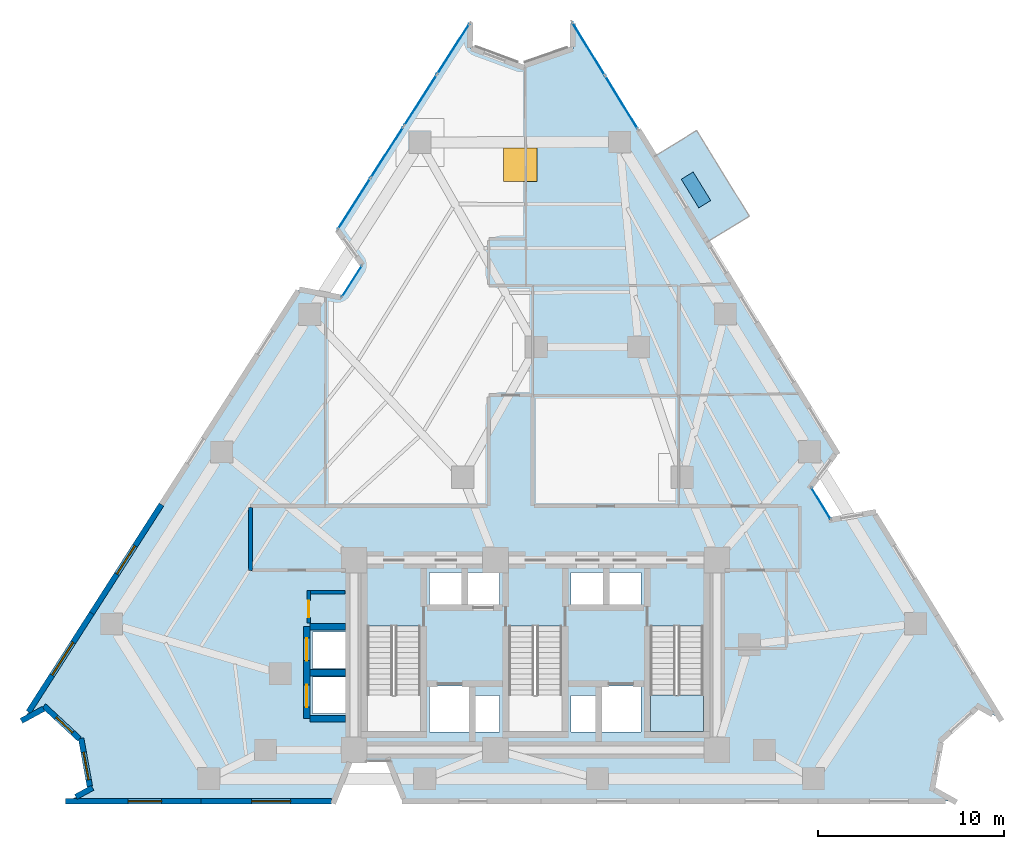
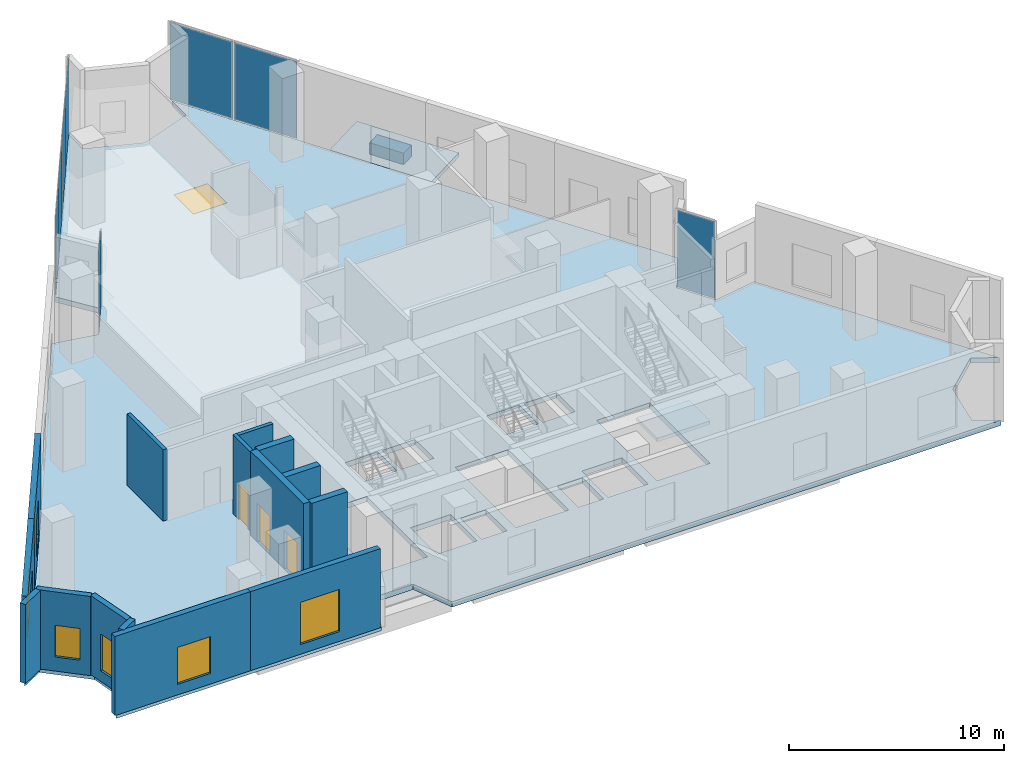
# One storey, part 6 of 13: 15 walls, 9 plates, 7 windows, 3 doors, 3 slabs, 10 openings, 6 elements without a shape of their own.
"""IFC4 building model written with IfcOpenShell, lengths in metres."""

from ifc_helpers import new_model, si_unit, direction, frame, frame_2d, origin, origin_2d, place, context, subcontext, project, spatial, polyline, rectangle, outline, extrude, material, layer, layer_set, type_object, element, fill, aggregate, save


model = new_model("IFC4")

# Units and contexts
model_context = context("Model", 3, precision=1e-05, world=origin(), true_north=direction((0.0, 1.0)))
body_context = subcontext(model_context, "Body", "Model", "MODEL_VIEW")
ifc_project = project(units=[si_unit("LENGTHUNIT", "METRE"), si_unit("AREAUNIT", "SQUARE_METRE"), si_unit("VOLUMEUNIT", "CUBIC_METRE"), si_unit("PLANEANGLEUNIT", "RADIAN"), si_unit("MASSUNIT", "GRAM", prefix="KILO")], contexts=[model_context])

# Site, building, storey
site_placement = place(None, origin())
site = spatial("IfcSite", under=ifc_project, at=site_placement, CompositionType="ELEMENT")
building_placement = place(site_placement, origin())
building = spatial("IfcBuilding", under=site, at=building_placement, Name="Almagre Mirador Tower", CompositionType="ELEMENT")
storey_placement = place(building_placement, frame((0.0, 0.0, 100.199951171875)))
storey = spatial("IfcBuildingStorey", under=building, at=storey_placement, Name="L25", CompositionType="ELEMENT", Elevation=100.199951171875)

# Curtain wall, plate
ifc_material_1 = material(Name="Black anodized aluminium", Category="aluminium")
ifc_layer_1 = layer(ifc_material_1, 0.169921875)
ifc_layer_set_1 = layer_set([ifc_layer_1], Name="Black anodized aluminium")
curtain_wall_type_1 = type_object("IfcCurtainWallType", Name="CW-CRS-SYS", PredefinedType="NOTDEFINED", material=ifc_layer_set_1)
curtain_wall_1_placement = place(storey_placement, origin())
curtain_wall_1 = element("IfcCurtainWall", 1, at=curtain_wall_1_placement, inside=storey, type_object=curtain_wall_type_1, Name="L25 vertical crease curtain wall 01", PredefinedType="NOTDEFINED")
ifc_material_2 = material(Name="Dark solar-control laminated hurricane glass", Category="glass")
ifc_layer_2 = layer(ifc_material_2, 0.028076171875)
ifc_layer_set_2 = layer_set([ifc_layer_2], Name="Dark solar-control laminated hurricane glass")
plate_type_1 = type_object("IfcPlateType", Name="PLT-GLZ-28", PredefinedType="CURTAIN_PANEL", material=ifc_layer_set_2)
plate_1_placement = place(storey_placement, frame((27.448486328125, 29.73095703125, 0.06005859375), z_axis=(0.0, 0.0, 1.0), x_axis=(0.539257350873, 0.842141027103, 0.0)))
plate_1 = element("IfcPlate", 2, at=plate_1_placement, type_object=plate_type_1, Name="CW-4 panel 1.1", PredefinedType="CURTAIN_PANEL", context=body_context, shape_type="SweptSolid", body=[
    extrude(rectangle(XDim=1.969970703125, YDim=0.028076171875, at=origin_2d()), origin(), (0.0, 0.0, 1.0), 4.3798828125),
])
aggregate(curtain_wall_1, [plate_1])

curtain_wall_2_placement = place(storey_placement, origin())
curtain_wall_2 = element("IfcCurtainWall", 3, at=curtain_wall_2_placement, inside=storey, type_object=curtain_wall_type_1, Name="L25 vertical crease curtain wall 05", PredefinedType="NOTDEFINED")
plate_2_placement = place(storey_placement, frame((52.64111328125, 17.799560546875, 0.06005859375), z_axis=(0.0, 0.0, 1.0), x_axis=(0.523403219085, -0.852085130871, 0.0)))
plate_2 = element("IfcPlate", 4, at=plate_2_placement, type_object=plate_type_1, Name="CW-4 panel 1.1", PredefinedType="CURTAIN_PANEL", context=body_context, shape_type="SweptSolid", body=[
    extrude(rectangle(XDim=1.97021484375, YDim=0.028076171875, at=origin_2d()), origin(), (0.0, 0.0, 1.0), 4.3798828125),
])
aggregate(curtain_wall_2, [plate_2])

# Curtain wall, plates
ifc_material_3 = material(Name="Black anodized aluminium", Category="aluminium")
ifc_layer_3 = layer(ifc_material_3, 0.22998046875)
ifc_layer_set_3 = layer_set([ifc_layer_3], Name="Black anodized aluminium")
curtain_wall_type_2 = type_object("IfcCurtainWallType", Name="CW-SKY-SYS", PredefinedType="NOTDEFINED", material=ifc_layer_set_3)
curtain_wall_3_placement = place(storey_placement, origin())
curtain_wall_3 = element("IfcCurtainWall", 5, at=curtain_wall_3_placement, inside=storey, type_object=curtain_wall_type_2, Name="L25 curtain wall run 02", PredefinedType="NOTDEFINED")
ifc_material_4 = material(Name="Dark solar-control laminated hurricane glass", Category="glass")
ifc_layer_4 = layer(ifc_material_4, 0.0400390625)
ifc_layer_set_4 = layer_set([ifc_layer_4], Name="Dark solar-control laminated hurricane glass")
plate_type_2 = type_object("IfcPlateType", Name="PLT-GLZ-40", PredefinedType="CURTAIN_PANEL", material=ifc_layer_set_4)
plate_3_placement = place(storey_placement, frame((27.56396484375, 33.897216796875, 0.06494140625), z_axis=(0.0, 0.0, 1.0), x_axis=(0.539491516118, 0.841991035603, 0.0)))
plate_3 = element("IfcPlate", 6, at=plate_3_placement, type_object=plate_type_2, Name="CW-5 panel 1.1", PredefinedType="CURTAIN_PANEL", context=body_context, shape_type="SweptSolid", body=[
    extrude(rectangle(XDim=3.199951171875, YDim=0.0400390625, at=origin_2d()), origin(), (0.0, 0.0, 1.0), 4.3701171875),
])
plate_4_placement = place(storey_placement, frame((29.328125, 36.650390625, 0.06494140625), z_axis=(0.0, 0.0, 1.0), x_axis=(0.539491516118, 0.841991035603, 0.0)))
plate_4 = element("IfcPlate", 7, at=plate_4_placement, type_object=plate_type_2, Name="CW-5 panel 2.1", PredefinedType="CURTAIN_PANEL", context=body_context, shape_type="SweptSolid", body=[
    extrude(rectangle(XDim=3.199951171875, YDim=0.0400390625, at=origin_2d()), origin(), (0.0, 0.0, 1.0), 4.3701171875),
])
aggregate(curtain_wall_3, [plate_3, plate_4])

curtain_wall_4_placement = place(storey_placement, origin())
curtain_wall_4 = element("IfcCurtainWall", 8, at=curtain_wall_4_placement, inside=storey, type_object=curtain_wall_type_2, Name="L25 curtain wall run 03", PredefinedType="NOTDEFINED")
plate_5_placement = place(storey_placement, frame((31.1298828125, 39.462646484375, 0.06494140625), z_axis=(0.0, 0.0, 1.0), x_axis=(0.539491516118, 0.841991035603, 0.0)))
plate_5 = element("IfcPlate", 9, at=plate_5_placement, type_object=plate_type_2, Name="CW-5 panel 1.1", PredefinedType="CURTAIN_PANEL", context=body_context, shape_type="SweptSolid", body=[
    extrude(rectangle(XDim=3.199951171875, YDim=0.0400390625, at=origin_2d()), origin(), (0.0, 0.0, 1.0), 4.3701171875),
])
plate_6_placement = place(storey_placement, frame((32.89404296875, 42.2158203125, 0.06494140625), z_axis=(0.0, 0.0, 1.0), x_axis=(0.539491516118, 0.841991035603, 0.0)))
plate_6 = element("IfcPlate", 10, at=plate_6_placement, type_object=plate_type_2, Name="CW-5 panel 2.1", PredefinedType="CURTAIN_PANEL", context=body_context, shape_type="SweptSolid", body=[
    extrude(rectangle(XDim=3.199951171875, YDim=0.0400390625, at=origin_2d()), origin(), (0.0, 0.0, 1.0), 4.3701171875),
])
aggregate(curtain_wall_4, [plate_5, plate_6])

curtain_wall_5_placement = place(storey_placement, origin())
curtain_wall_5 = element("IfcCurtainWall", 11, at=curtain_wall_5_placement, inside=storey, type_object=curtain_wall_type_2, Name="L25 curtain wall run 04", PredefinedType="NOTDEFINED")
plate_7_placement = place(storey_placement, frame((40.15283203125, 42.220458984375, 0.06494140625), z_axis=(0.0, 0.0, 1.0), x_axis=(0.523700193766, -0.851902639419, 0.0)))
plate_7 = element("IfcPlate", 12, at=plate_7_placement, type_object=plate_type_2, Name="CW-5 panel 1.1", PredefinedType="CURTAIN_PANEL", context=body_context, shape_type="SweptSolid", body=[
    extrude(rectangle(XDim=3.30859375, YDim=0.0400390625, at=origin_2d()), origin(), (0.0, 0.0, 1.0), 4.3701171875),
])
plate_8_placement = place(storey_placement, frame((41.922119140625, 39.342041015625, 0.06494140625), z_axis=(0.0, 0.0, 1.0), x_axis=(0.523700193766, -0.851902639419, 0.0)))
plate_8 = element("IfcPlate", 13, at=plate_8_placement, type_object=plate_type_2, Name="CW-5 panel 2.1", PredefinedType="CURTAIN_PANEL", context=body_context, shape_type="SweptSolid", body=[
    extrude(rectangle(XDim=3.30859375, YDim=0.0400390625, at=origin_2d()), origin(), (0.0, 0.0, 1.0), 4.3701171875),
])
aggregate(curtain_wall_5, [plate_7, plate_8])

# Plate
ifc_material_5 = material(Name="Precast concrete C50/60", Category="concrete")
ifc_layer_5 = layer(ifc_material_5, 0.64990234375)
ifc_layer_set_5 = layer_set([ifc_layer_5], Name="Precast concrete C50/60")
plate_type_3 = type_object("IfcPlateType", Name="PLT-PLANTER-1800", PredefinedType="USERDEFINED", material=ifc_layer_set_5)
plate_9_placement = place(storey_placement, frame((45.928955078125, 34.637939453125, 0.0), z_axis=(0.0, 0.0, 1.0), x_axis=(-0.523688565266, 0.851909787835, 0.0)))
element("IfcPlate", 14, at=plate_9_placement, inside=storey, type_object=plate_type_3, Name="L25 east balcony structural tree planter 2", ObjectType="PLANTER", PredefinedType="USERDEFINED", context=body_context, shape_type="SweptSolid", body=[
    extrude(rectangle(XDim=1.800048828125, YDim=0.75, at=origin_2d()), origin(), (0.0, 0.0, 1.0), 0.64990234375),
])

# Slab
ifc_material_6 = material(Name="Concrete C45/55", Category="concrete")
ifc_layer_6 = layer(ifc_material_6, 0.239990234375)
ifc_layer_set_6 = layer_set([ifc_layer_6], Name="Concrete C45/55")
slab_type_1 = type_object("IfcSlabType", Name="SLB-BAL-240", PredefinedType="USERDEFINED", material=ifc_layer_set_6)
slab_1_placement = place(storey_placement, frame((0.0, 0.0, -0.239990234375)))
element("IfcSlab", 15, at=slab_1_placement, inside=storey, type_object=slab_type_1, Name="L25 east planted tree balcony 2", ObjectType="BALCONY", PredefinedType="USERDEFINED", context=body_context, shape_type="SweptSolid", body=[
    extrude(outline(polyline([(46.51708984375, 31.830078125), (43.68896484375, 36.429931640625), (45.964111328125, 37.827880859375), (48.7919921875, 33.22802734375), (46.51708984375, 31.830078125)])), origin(), (0.0, 0.0, 1.0), 0.239990234375),
])

# Slab, opening, window
ifc_material_7 = material(Name="Concrete C45/55", Category="concrete")
ifc_layer_7 = layer(ifc_material_7, 0.300048828125)
ifc_layer_set_7 = layer_set([ifc_layer_7], Name="Concrete C45/55")
slab_type_2 = type_object("IfcSlabType", Name="SLB-FLR-300", PredefinedType="FLOOR", material=ifc_layer_set_7)
slab_2_placement = place(storey_placement, frame((0.0, 0.0, -0.300048828125)))
slab_2 = element("IfcSlab", 16, at=slab_2_placement, inside=storey, type_object=slab_type_2, Name="L25 structural floor slab", PredefinedType="FLOOR", context=body_context, shape_type="SweptSolid", body=[
    extrude(outline(polyline([(9.804931640625, 6.177978515625), (10.989990234375, 6.825927734375), (12.9169921875, 5.035888671875), (13.384033203125, 2.447998046875), (12.199951171875, 1.800048828125), (26.48388671875, 1.800048828125), (27.339111328125, 3.949951171875), (29.428955078125, 3.949951171875), (30.283935546875, 1.800048828125), (59.800048828125, 1.800048828125), (58.6220703125, 2.458984375), (59.114013671875, 5.091064453125), (61.09912109375, 6.888916015625), (62.277099609375, 6.22998046875), (55.468017578125, 17.306884765625), (53.18798828125, 16.908935546875), (52.093994140625, 18.68994140625), (53.47802734375, 20.5439453125), (39.322998046875, 43.570068359375), (39.31103515625, 42.219970703125), (36.537109375, 41.256103515625), (33.781982421875, 42.27197265625), (33.794921875, 43.6220703125), (26.6630859375, 32.490966796875), (28.011962890625, 30.611083984375), (26.885009765625, 28.85107421875), (24.613037109375, 29.291015625), (9.804931640625, 6.177978515625)]), holes=[polyline([(43.47509765625, 11.196044921875), (46.324951171875, 11.196044921875), (46.324951171875, 5.550048828125), (43.47509765625, 5.550048828125), (43.47509765625, 11.196044921875)]), polyline([(40.820068359375, 5.52001953125), (40.820068359375, 7.97998046875), (42.97998046875, 7.97998046875), (42.97998046875, 5.52001953125), (40.820068359375, 5.52001953125)]), polyline([(41.219970703125, 12.320068359375), (41.219970703125, 14.080078125), (42.97998046875, 14.080078125), (42.97998046875, 12.320068359375), (41.219970703125, 12.320068359375)]), polyline([(39.219970703125, 12.320068359375), (39.219970703125, 14.080078125), (40.97998046875, 14.080078125), (40.97998046875, 12.320068359375), (39.219970703125, 12.320068359375)]), polyline([(39.219970703125, 5.52001953125), (39.219970703125, 7.47998046875), (40.580078125, 7.47998046875), (40.580078125, 5.52001953125), (39.219970703125, 5.52001953125)]), polyline([(35.875, 11.196044921875), (38.72509765625, 11.196044921875), (38.72509765625, 5.550048828125), (35.875, 5.550048828125), (35.875, 11.196044921875)]), polyline([(35.3798828125, 5.52001953125), (34.02001953125, 5.52001953125), (34.02001953125, 7.47998046875), (35.3798828125, 7.47998046875), (35.3798828125, 5.52001953125)]), polyline([(35.3798828125, 12.320068359375), (33.6201171875, 12.320068359375), (33.6201171875, 14.080078125), (35.3798828125, 14.080078125), (35.3798828125, 12.320068359375)]), polyline([(31.6201171875, 5.52001953125), (31.6201171875, 7.97998046875), (33.780029296875, 7.97998046875), (33.780029296875, 5.52001953125), (31.6201171875, 5.52001953125)]), polyline([(31.6201171875, 12.320068359375), (31.6201171875, 14.080078125), (33.3798828125, 14.080078125), (33.3798828125, 12.320068359375), (31.6201171875, 12.320068359375)]), polyline([(28.27490234375, 5.550048828125), (28.27490234375, 11.196044921875), (31.125, 11.196044921875), (31.125, 5.550048828125), (28.27490234375, 5.550048828125)]), polyline([(25.320068359375, 6.52001953125), (25.320068359375, 8.47998046875), (27.3798828125, 8.47998046875), (27.3798828125, 6.52001953125), (25.320068359375, 6.52001953125)]), polyline([(25.320068359375, 8.919921875), (25.320068359375, 10.8798828125), (27.3798828125, 10.8798828125), (27.3798828125, 8.919921875), (25.320068359375, 8.919921875)])]), origin(), (0.0, 0.0, 1.0), 0.300048828125),
])
opening_1_placement = place(slab_2_placement, frame((36.5, 36.0, 0.0)))
opening_1 = element("IfcOpeningElement", 17, at=opening_1_placement, cuts=slab_2, Name="Opening SK-01", PredefinedType="OPENING", context=body_context, shape_type="SweptSolid", body=[
    extrude(rectangle(XDim=1.800048828125, YDim=1.800048828125, at=origin_2d()), origin(), (0.0, 0.0, 1.0), 0.300048828125),
])
ifc_material_8 = material(Name="Dark solar-control laminated hurricane glass", Category="glass")
window_type_1 = type_object("IfcWindowType", Name="SKY-1800X1800", PartitioningType="SINGLE_PANEL", PredefinedType="SKYLIGHT", material=ifc_material_8)
window_1_placement = place(opening_1_placement, frame((0.0, 0.0, 0.25)))
window_1 = element("IfcWindow", 18, at=window_1_placement, inside=storey, type_object=window_type_1, Name="L25 atrium lightwell skylight 4", OverallHeight=1.800048828125, OverallWidth=1.800048828125, PartitioningType="SINGLE_PANEL", PredefinedType="SKYLIGHT", context=body_context, shape_type="SweptSolid", body=[
    extrude(rectangle(XDim=1.800048828125, YDim=1.800048828125, at=origin_2d()), origin(), (0.0, 0.0, 1.0), 0.050048828125),
])
fill(opening_1, window_1)

# Stair, slab
ifc_material_9 = material(Name="Concrete C45/55", Category="concrete")
stair_type = type_object("IfcStairType", Name="STR-DL-4800", PredefinedType="HALF_TURN_STAIR", material=ifc_material_9)
stair_placement = place(storey_placement, origin())
stair = element("IfcStair", 19, at=stair_placement, inside=storey, type_object=stair_type, Name="L25 Protected exit stair ST-3", PredefinedType="HALF_TURN_STAIR")
ifc_material_10 = material(Name="Concrete C45/55", Category="concrete")
ifc_layer_8 = layer(ifc_material_10, 0.199951171875)
ifc_layer_set_8 = layer_set([ifc_layer_8], Name="Concrete C45/55")
slab_type_3 = type_object("IfcSlabType", Name="SLB-LND-200", PredefinedType="LANDING", material=ifc_layer_set_8)
slab_3_placement = place(storey_placement, frame((0.0, 0.0, 2.199951171875)))
slab_3 = element("IfcSlab", 20, at=slab_3_placement, type_object=slab_type_3, Name="ST-3 landing 1", PredefinedType="LANDING", context=body_context, shape_type="SweptSolid", body=[
    extrude(outline(polyline([(43.47509765625, 7.4951171875), (43.47509765625, 5.550048828125), (46.324951171875, 5.550048828125), (46.324951171875, 7.4951171875), (43.47509765625, 7.4951171875)])), origin(), (0.0, 0.0, 1.0), 0.2001953125),
])
aggregate(stair, [slab_3])

# Wall, opening, window
ifc_material_11 = material(Name="Precast concrete C50/60", Category="concrete")
ifc_layer_9 = layer(ifc_material_11, 0.300048828125)
ifc_layer_set_9 = layer_set([ifc_layer_9], Name="Precast concrete C50/60")
wall_type_1 = type_object("IfcWallType", Name="WAL-EXT-300", PredefinedType="SOLIDWALL", material=ifc_layer_set_9)
wall_1_placement = place(storey_placement, frame((26.343994140625, 1.800048828125, 0.0), z_axis=(0.0, 0.0, 1.0), x_axis=(-1.0, 0.0, 0.0)))
wall_1 = element("IfcWall", 21, at=wall_1_placement, inside=storey, type_object=wall_type_1, Name="L25 expressed almagre precast frame wall 24", PredefinedType="SOLIDWALL", context=body_context, shape_type="SweptSolid", body=[
    extrude(rectangle(XDim=7.001953125, YDim=0.300048828125, at=frame_2d((3.5009765625, 0.0))), origin(), (0.0, 0.0, 1.0), 4.5),
])
opening_2_placement = place(wall_1_placement, frame((2.195068359375, 0.0, 0.550048828125)))
opening_2 = element("IfcOpeningElement", 22, at=opening_2_placement, cuts=wall_1, Name="Opening WN-05", PredefinedType="OPENING", context=body_context, shape_type="SweptSolid", body=[
    extrude(rectangle(XDim=2.10009765625, YDim=2.39990234375, at=frame_2d((1.050048828125, 1.199951171875))), frame((0.0, 0.159902, 0.0), z_axis=(0.0, -1.0, 0.0), x_axis=(1.0, 0.0, 0.0)), (0.0, 0.0, 1.0), 0.320049),
])
ifc_material_12 = material(Name="Dark solar-control laminated hurricane glass", Category="glass")
window_type_2 = type_object("IfcWindowType", Name="WIN-2100X2400", PartitioningType="DOUBLE_PANEL_VERTICAL", PredefinedType="WINDOW", material=ifc_material_12)
window_2_placement = place(opening_2_placement, origin())
window_2 = element("IfcWindow", 23, at=window_2_placement, inside=storey, type_object=window_type_2, Name="L25 recessed hurricane window L25-SMTG", OverallHeight=2.39990234375, OverallWidth=2.10009765625, PartitioningType="SINGLE_PANEL", PredefinedType="WINDOW", context=body_context, shape_type="SweptSolid", body=[
    extrude(rectangle(XDim=2.10009765625, YDim=2.39990234375, at=frame_2d((1.050048828125, 1.199951171875))), frame((0.0, 0.030029296875, 0.0), z_axis=(0.0, -1.0, 0.0), x_axis=(1.0, 0.0, 0.0)), (0.0, 0.0, 1.0), 0.06005859375),
])
fill(opening_2, window_2)

wall_2_placement = place(storey_placement, frame((19.342041015625, 1.800048828125, 0.0), z_axis=(0.0, 0.0, 1.0), x_axis=(-1.0, 0.0, 0.0)))
wall_2 = element("IfcWall", 24, at=wall_2_placement, inside=storey, type_object=wall_type_1, Name="L25 expressed almagre precast frame wall 25", PredefinedType="SOLIDWALL", context=body_context, shape_type="SweptSolid", body=[
    extrude(rectangle(XDim=7.281982421875, YDim=0.300048828125, at=frame_2d((3.64111328125, 0.0))), origin(), (0.0, 0.0, 1.0), 4.5),
])
opening_3_placement = place(wall_2_placement, frame((2.125, 0.0, 0.60009765625)))
opening_3 = element("IfcOpeningElement", 25, at=opening_3_placement, cuts=wall_2, Name="Opening WN-01", PredefinedType="OPENING", context=body_context, shape_type="SweptSolid", body=[
    extrude(rectangle(XDim=1.800048828125, YDim=2.10009765625, at=frame_2d((0.89990234375, 1.050048828125))), frame((0.0, 0.159902, 0.0), z_axis=(0.0, -1.0, 0.0), x_axis=(1.0, 0.0, 0.0)), (0.0, 0.0, 1.0), 0.320049),
])
ifc_material_13 = material(Name="Dark solar-control laminated hurricane glass", Category="glass")
window_type_3 = type_object("IfcWindowType", Name="WIN-1800X2100", PartitioningType="DOUBLE_PANEL_VERTICAL", PredefinedType="WINDOW", material=ifc_material_13)
window_3_placement = place(opening_3_placement, origin())
window_3 = element("IfcWindow", 26, at=window_3_placement, inside=storey, type_object=window_type_3, Name="L25 recessed hurricane window L25-SMTG", OverallHeight=2.10009765625, OverallWidth=1.800048828125, PartitioningType="SINGLE_PANEL", PredefinedType="WINDOW", context=body_context, shape_type="SweptSolid", body=[
    extrude(rectangle(XDim=1.800048828125, YDim=2.10009765625, at=frame_2d((0.89990234375, 1.050048828125))), frame((0.0, 0.030029296875, 0.0), z_axis=(0.0, -1.0, 0.0), x_axis=(1.0, 0.0, 0.0)), (0.0, 0.0, 1.0), 0.06005859375),
])
fill(opening_3, window_3)

# Wall
wall_3_placement = place(storey_placement, frame((12.6123046875, 2.025634765625, 0.0), z_axis=(0.0, 0.0, 1.0), x_axis=(0.877245120991, 0.480042704036, 0.0)))
element("IfcWall", 27, at=wall_3_placement, inside=storey, type_object=wall_type_1, Name="L25 expressed almagre precast frame wall 26", PredefinedType="SOLIDWALL", context=body_context, shape_type="SweptSolid", body=[
    extrude(rectangle(XDim=1.019775390625, YDim=0.300048828125, at=frame_2d((0.509765625, 0.0))), origin(), (0.0, 0.0, 1.0), 4.5),
])

# Wall, opening, window
wall_4_placement = place(storey_placement, frame((13.360107421875, 2.580810546875, 0.0), z_axis=(0.0, 0.0, 1.0), x_axis=(-0.177621463404, 0.984098885142, 0.0)))
wall_4 = element("IfcWall", 28, at=wall_4_placement, inside=storey, type_object=wall_type_1, Name="L25 expressed almagre precast frame wall 27", PredefinedType="SOLIDWALL", context=body_context, shape_type="SweptSolid", body=[
    extrude(rectangle(XDim=2.635009765625, YDim=0.300048828125, at=frame_2d((1.3173828125, 0.0))), origin(), (0.0, 0.0, 1.0), 4.5),
])
opening_4_placement = place(wall_4_placement, frame((0.375, 0.0, 0.60009765625)))
opening_4 = element("IfcOpeningElement", 29, at=opening_4_placement, cuts=wall_4, Name="Opening WN-03", PredefinedType="OPENING", context=body_context, shape_type="SweptSolid", body=[
    extrude(rectangle(XDim=1.5, YDim=2.10009765625, at=frame_2d((0.75, 1.050048828125))), frame((0.0, 0.159902, 0.0), z_axis=(0.0, -1.0, 0.0), x_axis=(1.0, 0.0, 0.0)), (0.0, 0.0, 1.0), 0.320049),
])
ifc_material_14 = material(Name="Dark solar-control laminated hurricane glass", Category="glass")
window_type_4 = type_object("IfcWindowType", Name="WIN-1500X2100", PartitioningType="DOUBLE_PANEL_VERTICAL", PredefinedType="WINDOW", material=ifc_material_14)
window_4_placement = place(opening_4_placement, origin())
window_4 = element("IfcWindow", 30, at=window_4_placement, inside=storey, type_object=window_type_4, Name="L25 recessed hurricane window L25-SMTG", OverallHeight=2.10009765625, OverallWidth=1.5, PartitioningType="SINGLE_PANEL", PredefinedType="WINDOW", context=body_context, shape_type="SweptSolid", body=[
    extrude(rectangle(XDim=1.5, YDim=2.10009765625, at=frame_2d((0.75, 1.050048828125))), frame((0.0, 0.030029296875, 0.0), z_axis=(0.0, -1.0, 0.0), x_axis=(1.0, 0.0, 0.0)), (0.0, 0.0, 1.0), 0.06005859375),
])
fill(opening_4, window_4)

wall_5_placement = place(storey_placement, frame((12.80712890625, 5.13818359375, 0.0), z_axis=(0.0, 0.0, 1.0), x_axis=(-0.732670686937, 0.680583326642, 0.0)))
wall_5 = element("IfcWall", 31, at=wall_5_placement, inside=storey, type_object=wall_type_1, Name="L25 expressed almagre precast frame wall 28", PredefinedType="SOLIDWALL", context=body_context, shape_type="SweptSolid", body=[
    extrude(rectangle(XDim=2.6201171875, YDim=0.300048828125, at=frame_2d((1.31005859375, 0.0))), origin(), (0.0, 0.0, 1.0), 4.5),
])
opening_5_placement = place(wall_5_placement, frame((0.510009765625, 0.0, 0.800048828125)))
opening_5 = element("IfcOpeningElement", 32, at=opening_5_placement, cuts=wall_5, Name="Opening WN-04", PredefinedType="OPENING", context=body_context, shape_type="SweptSolid", body=[
    extrude(rectangle(XDim=1.199951171875, YDim=1.800048828125, at=frame_2d((0.60009765625, 0.89990234375))), frame((0.0, 0.159902, 0.0), z_axis=(0.0, -1.0, 0.0), x_axis=(1.0, 0.0, 0.0)), (0.0, 0.0, 1.0), 0.320049),
])
ifc_material_15 = material(Name="Dark solar-control laminated hurricane glass", Category="glass")
window_type_5 = type_object("IfcWindowType", Name="WIN-1200X1800", PartitioningType="SINGLE_PANEL", PredefinedType="WINDOW", material=ifc_material_15)
window_5_placement = place(opening_5_placement, origin())
window_5 = element("IfcWindow", 33, at=window_5_placement, inside=storey, type_object=window_type_5, Name="L25 recessed hurricane window L25-SMTG", OverallHeight=1.800048828125, OverallWidth=1.199951171875, PartitioningType="SINGLE_PANEL", PredefinedType="WINDOW", context=body_context, shape_type="SweptSolid", body=[
    extrude(rectangle(XDim=1.199951171875, YDim=1.800048828125, at=frame_2d((0.60009765625, 0.89990234375))), frame((0.0, 0.030029296875, 0.0), z_axis=(0.0, -1.0, 0.0), x_axis=(1.0, 0.0, 0.0)), (0.0, 0.0, 1.0), 0.06005859375),
])
fill(opening_5, window_5)

# Wall
wall_6_placement = place(storey_placement, frame((10.8759765625, 6.763671875, 0.0), z_axis=(0.0, 0.0, 1.0), x_axis=(-0.877387661902, -0.47978212841, 0.0)))
element("IfcWall", 34, at=wall_6_placement, inside=storey, type_object=wall_type_1, Name="L25 expressed almagre precast frame wall 29", PredefinedType="SOLIDWALL", context=body_context, shape_type="SweptSolid", body=[
    extrude(rectangle(XDim=1.360595703125, YDim=0.300048828125, at=frame_2d((0.68017578125, 0.0))), origin(), (0.0, 0.0, 1.0), 4.5),
])

# Wall, opening, window
wall_7_placement = place(storey_placement, frame((10.066650390625, 6.58642578125, 0.0), z_axis=(0.0, 0.0, 1.0), x_axis=(0.539467727833, 0.842006277071, 0.0)))
wall_7 = element("IfcWall", 35, at=wall_7_placement, inside=storey, type_object=wall_type_1, Name="L25 expressed almagre precast frame wall 30", PredefinedType="SOLIDWALL", context=body_context, shape_type="SweptSolid", body=[
    extrude(rectangle(XDim=6.307373046875, YDim=0.300048828125, at=frame_2d((3.15380859375, 0.0))), origin(), (0.0, 0.0, 1.0), 4.5),
])
opening_6_placement = place(wall_7_placement, frame((2.35009765625, 0.0, 0.550048828125)))
opening_6 = element("IfcOpeningElement", 36, at=opening_6_placement, cuts=wall_7, Name="Opening WN-05", PredefinedType="OPENING", context=body_context, shape_type="SweptSolid", body=[
    extrude(rectangle(XDim=2.10009765625, YDim=2.39990234375, at=frame_2d((1.050048828125, 1.199951171875))), frame((0.0, 0.159902, 0.0), z_axis=(0.0, -1.0, 0.0), x_axis=(1.0, 0.0, 0.0)), (0.0, 0.0, 1.0), 0.320049),
])
window_6_placement = place(opening_6_placement, origin())
window_6 = element("IfcWindow", 37, at=window_6_placement, inside=storey, type_object=window_type_2, Name="L25 recessed hurricane window L25-SMTG", OverallHeight=2.39990234375, OverallWidth=2.10009765625, PartitioningType="SINGLE_PANEL", PredefinedType="WINDOW", context=body_context, shape_type="SweptSolid", body=[
    extrude(rectangle(XDim=2.10009765625, YDim=2.39990234375, at=frame_2d((1.050048828125, 1.199951171875))), frame((0.0, 0.030029296875, 0.0), z_axis=(0.0, -1.0, 0.0), x_axis=(1.0, 0.0, 0.0)), (0.0, 0.0, 1.0), 0.06005859375),
])
fill(opening_6, window_6)

wall_8_placement = place(storey_placement, frame((13.46923828125, 11.897216796875, 0.0), z_axis=(0.0, 0.0, 1.0), x_axis=(0.539443376495, 0.842021878312, 0.0)))
wall_8 = element("IfcWall", 38, at=wall_8_placement, inside=storey, type_object=wall_type_1, Name="L25 expressed almagre precast frame wall 31", PredefinedType="SOLIDWALL", context=body_context, shape_type="SweptSolid", body=[
    extrude(rectangle(XDim=6.9326171875, YDim=0.300048828125, at=frame_2d((3.46630859375, 0.0))), origin(), (0.0, 0.0, 1.0), 4.5),
])
opening_7_placement = place(wall_8_placement, frame((2.5, 0.0, 0.60009765625)))
opening_7 = element("IfcOpeningElement", 39, at=opening_7_placement, cuts=wall_8, Name="Opening WN-01", PredefinedType="OPENING", context=body_context, shape_type="SweptSolid", body=[
    extrude(rectangle(XDim=1.800048828125, YDim=2.10009765625, at=frame_2d((0.89990234375, 1.050048828125))), frame((0.0, 0.159902, 0.0), z_axis=(0.0, -1.0, 0.0), x_axis=(1.0, 0.0, 0.0)), (0.0, 0.0, 1.0), 0.320049),
])
window_7_placement = place(opening_7_placement, origin())
window_7 = element("IfcWindow", 40, at=window_7_placement, inside=storey, type_object=window_type_3, Name="L25 recessed hurricane window L25-SMTG", OverallHeight=2.10009765625, OverallWidth=1.800048828125, PartitioningType="SINGLE_PANEL", PredefinedType="WINDOW", context=body_context, shape_type="SweptSolid", body=[
    extrude(rectangle(XDim=1.800048828125, YDim=2.10009765625, at=frame_2d((0.89990234375, 1.050048828125))), frame((0.0, 0.030029296875, 0.0), z_axis=(0.0, -1.0, 0.0), x_axis=(1.0, 0.0, 0.0)), (0.0, 0.0, 1.0), 0.06005859375),
])
fill(opening_7, window_7)

# Wall, opening, door
ifc_material_16 = material(Name="Gypsum acoustic stud partition", Category="other")
ifc_layer_10 = layer(ifc_material_16, 0.199951171875)
ifc_layer_set_10 = layer_set([ifc_layer_10], Name="Gypsum acoustic stud partition")
wall_type_2 = type_object("IfcWallType", Name="WAL-PRT-200-EI60", PredefinedType="PARTITIONING", material=ifc_layer_set_10)
wall_9_placement = place(storey_placement, frame((25.1201171875, 11.3701171875, 0.0), z_axis=(0.0, 0.0, 1.0), x_axis=(0.0, 1.0, 0.0)))
wall_9 = element("IfcWall", 41, at=wall_9_placement, inside=storey, type_object=wall_type_2, Name="L25 core ancillary west wall", PredefinedType="PARTITIONING", context=body_context, shape_type="SweptSolid", body=[
    extrude(rectangle(XDim=1.739990234375, YDim=0.199951171875, at=frame_2d((0.8701171875, 0.0))), origin(), (0.0, 0.0, 1.0), 4.5),
])
opening_8_placement = place(wall_9_placement, frame((0.304931640625, 0.0, 0.0)))
opening_8 = element("IfcOpeningElement", 42, at=opening_8_placement, cuts=wall_9, Name="Opening ID-03", PredefinedType="OPENING", context=body_context, shape_type="SweptSolid", body=[
    extrude(rectangle(XDim=0.89990234375, YDim=2.10009765625, at=frame_2d((0.449951171875, 1.050048828125))), frame((0.0, 0.110098, 0.0), z_axis=(0.0, -1.0, 0.0), x_axis=(1.0, 0.0, 0.0)), (0.0, 0.0, 1.0), 0.219951),
])
ifc_material_17 = material(Name="Fire-rated hollow steel", Category="steel")
door_type_1 = type_object("IfcDoorType", Name="DOR-FD60-900X2100", OperationType="NOTDEFINED", PredefinedType="DOOR", material=ifc_material_17)
door_1_placement = place(opening_8_placement, origin())
door_1 = element("IfcDoor", 43, at=door_1_placement, inside=storey, type_object=door_type_1, Name="DR-0846 L25 core ancillary corridor door", OperationType="SINGLE_SWING_RIGHT", OverallHeight=2.10009765625, OverallWidth=0.89990234375, PredefinedType="DOOR", context=body_context, shape_type="SweptSolid", body=[
    extrude(rectangle(XDim=0.89990234375, YDim=2.10009765625, at=frame_2d((0.449951171875, 1.050048828125))), frame((0.0, 0.02490234375, 0.0), z_axis=(0.0, -1.0, 0.0), x_axis=(1.0, 0.0, 0.0)), (0.0, 0.0, 1.0), 0.050048828125),
])
fill(opening_8, door_1)

# Walls
wall_10_placement = place(storey_placement, frame((25.22509765625, 13.02001953125, 0.0), z_axis=(0.0, 0.0, 1.0), x_axis=(1.0, 0.0, 0.0)))
element("IfcWall", 44, at=wall_10_placement, inside=storey, type_object=wall_type_2, Name="L25 core ancillary north wall", PredefinedType="PARTITIONING", context=body_context, shape_type="SweptSolid", body=[
    extrude(rectangle(XDim=1.85986328125, YDim=0.199951171875, at=frame_2d((0.929931640625, 0.0))), origin(), (0.0, 0.0, 1.0), 4.5),
])
wall_11_placement = place(storey_placement, frame((22.0, 17.56494140625, 0.0), z_axis=(0.0, 0.0, 1.0), x_axis=(0.0, -1.0, 0.0)))
element("IfcWall", 45, at=wall_11_placement, inside=storey, type_object=wall_type_2, Name="L25 interior partition 030", PredefinedType="PARTITIONING", context=body_context, shape_type="SweptSolid", body=[
    extrude(rectangle(XDim=3.364990234375, YDim=0.199951171875, at=frame_2d((1.6826171875, 0.0))), origin(), (0.0, 0.0, 1.0), 4.06103515625),
])

# Wall, openings, doors
ifc_material_18 = material(Name="Concrete C60/75", Category="concrete")
ifc_layer_11 = layer(ifc_material_18, 0.35009765625)
ifc_layer_set_11 = layer_set([ifc_layer_11], Name="Concrete C60/75")
wall_type_3 = type_object("IfcWallType", Name="WAL-SHF-350", PredefinedType="SOLIDWALL", material=ifc_layer_set_11)
wall_12_placement = place(storey_placement, frame((25.02490234375, 6.22509765625, 0.0), z_axis=(0.0, 0.0, 1.0), x_axis=(0.0, 1.0, 0.0)))
wall_12 = element("IfcWall", 46, at=wall_12_placement, inside=storey, type_object=wall_type_3, Name="L25 shaft wall OL-W", PredefinedType="SOLIDWALL", context=body_context, shape_type="SweptSolid", body=[
    extrude(rectangle(XDim=4.949951171875, YDim=0.35009765625, at=frame_2d((2.47509765625, 0.0))), origin(), (0.0, 0.0, 1.0), 4.800048828125),
])
opening_9_placement = place(wall_12_placement, frame((0.625, 0.0, 0.0)))
opening_9 = element("IfcOpeningElement", 47, at=opening_9_placement, cuts=wall_12, Name="Opening LD-02", PredefinedType="OPENING", context=body_context, shape_type="SweptSolid", body=[
    extrude(rectangle(XDim=1.199951171875, YDim=2.199951171875, at=frame_2d((0.60009765625, 1.10009765625))), frame((0.0, 0.185049, 0.0), z_axis=(0.0, -1.0, 0.0), x_axis=(1.0, 0.0, 0.0)), (0.0, 0.0, 1.0), 0.370098),
])
opening_10_placement = place(wall_12_placement, frame((3.125, 0.0, 0.0)))
opening_10 = element("IfcOpeningElement", 48, at=opening_10_placement, cuts=wall_12, Name="Opening LD-02", PredefinedType="OPENING", context=body_context, shape_type="SweptSolid", body=[
    extrude(rectangle(XDim=1.199951171875, YDim=2.199951171875, at=frame_2d((0.60009765625, 1.10009765625))), frame((0.0, 0.185049, 0.0), z_axis=(0.0, -1.0, 0.0), x_axis=(1.0, 0.0, 0.0)), (0.0, 0.0, 1.0), 0.370098),
])
ifc_material_19 = material(Name="Hollow stainless steel", Category="steel")
door_type_2 = type_object("IfcDoorType", Name="DOR-LD-1200X2200", OperationType="DOUBLE_DOOR_SLIDING", PredefinedType="DOOR", material=ifc_material_19)
door_2_placement = place(opening_9_placement, origin())
door_2 = element("IfcDoor", 49, at=door_2_placement, inside=storey, type_object=door_type_2, Name="DR-0858 L25 OL-1 express shuttle landing door", OperationType="DOUBLE_DOOR_SLIDING", OverallHeight=2.199951171875, OverallWidth=1.199951171875, PredefinedType="DOOR", context=body_context, shape_type="SweptSolid", body=[
    extrude(rectangle(XDim=1.199951171875, YDim=2.199951171875, at=frame_2d((0.60009765625, 1.10009765625))), frame((0.0, 0.02490234375, 0.0), z_axis=(0.0, -1.0, 0.0), x_axis=(1.0, 0.0, 0.0)), (0.0, 0.0, 1.0), 0.050048828125),
])
fill(opening_9, door_2)
door_3_placement = place(opening_10_placement, origin())
door_3 = element("IfcDoor", 50, at=door_3_placement, inside=storey, type_object=door_type_2, Name="DR-0859 L25 OL-2 express shuttle landing door", OperationType="DOUBLE_DOOR_SLIDING", OverallHeight=2.199951171875, OverallWidth=1.199951171875, PredefinedType="DOOR", context=body_context, shape_type="SweptSolid", body=[
    extrude(rectangle(XDim=1.199951171875, YDim=2.199951171875, at=frame_2d((0.60009765625, 1.10009765625))), frame((0.0, 0.02490234375, 0.0), z_axis=(0.0, -1.0, 0.0), x_axis=(1.0, 0.0, 0.0)), (0.0, 0.0, 1.0), 0.050048828125),
])
fill(opening_10, door_3)

# Walls
for number, where, z_axis, x_axis, name in (
    (51, (25.199951171875, 6.22509765625, 0.0), (0.0, 0.0, 1.0), (1.0, 0.0, 0.0), "L25 shaft wall OL-S"),
    (52, (25.199951171875, 8.699951171875, 0.0), (0.0, 0.0, 1.0), (1.0, 0.0, 0.0), "L25 shaft wall OL-M"),
    (53, (25.199951171875, 11.175048828125, 0.0), (0.0, 0.0, 1.0), (1.0, 0.0, 0.0), "L25 shaft wall OL-N"),
):
    element("IfcWall", number, at=place(storey_placement, frame(where, z_axis=z_axis, x_axis=x_axis)), inside=storey, type_object=wall_type_3, Name=name, PredefinedType="SOLIDWALL", context=body_context, shape_type="SweptSolid", body=[
        extrude(rectangle(XDim=1.900146484375, YDim=0.35009765625, at=frame_2d((0.9501953125, 0.0))), origin(), (0.0, 0.0, 1.0), 4.800048828125),
    ])

save(model, "model.ifc")
